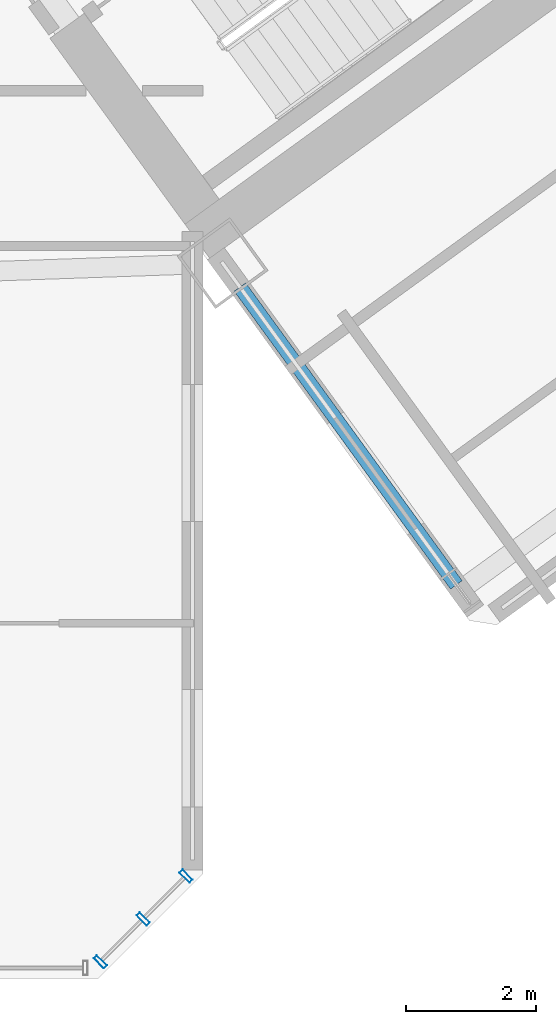
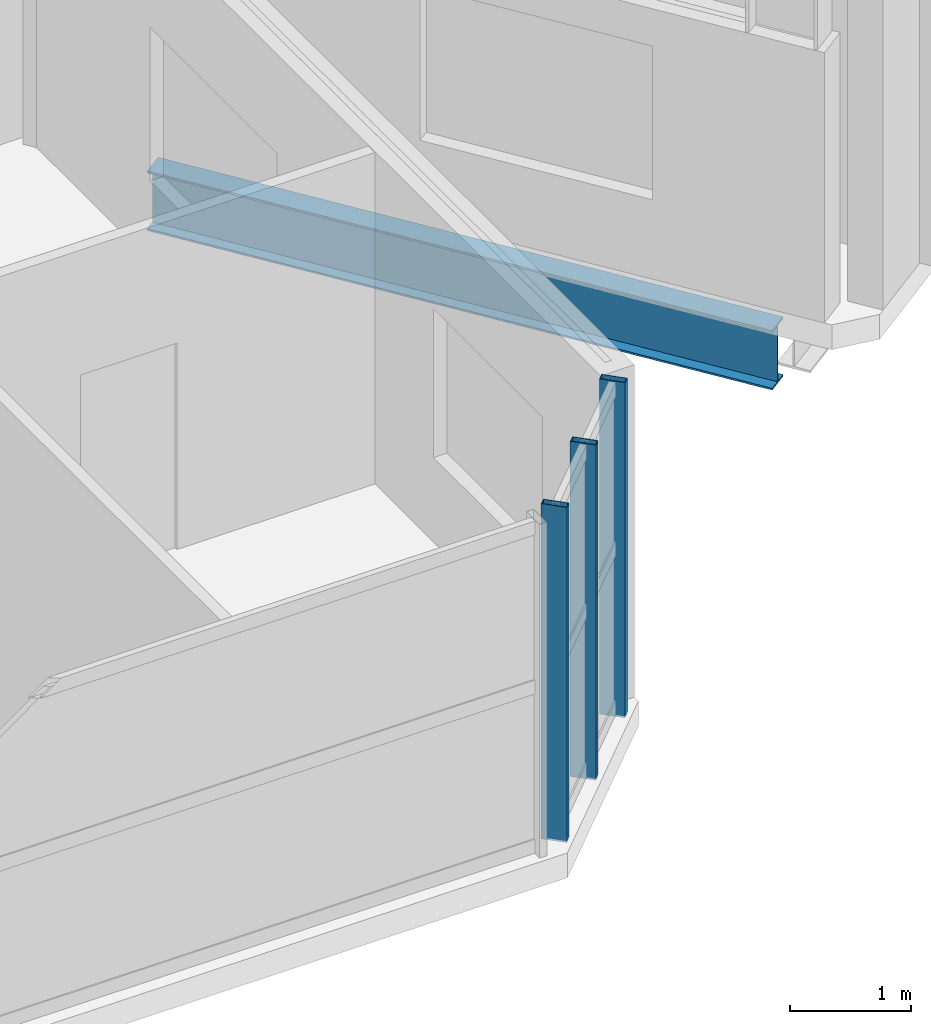
# One storey, part 9 of 28: 3 members, 1 beam, 1 element without a shape of its own.
"""IFC4 building model written with IfcOpenShell, lengths in metres."""

from ifc_helpers import new_model, si_unit, direction, frame, origin, origin_2d, place, context, subcontext, project, spatial, hollow_rectangle, i_section, extrude, source, transform, mapped, material, material_profile, profile_set, type_object, element, aggregate, save


model = new_model("IFC4")

# Units and contexts
model_context = context("Model", 3, precision=1e-05, world=origin(), true_north=direction((0.0, 1.0)))
body_context = subcontext(model_context, "Body", "Model", "MODEL_VIEW")
ifc_project = project(units=[si_unit("LENGTHUNIT", "METRE"), si_unit("AREAUNIT", "SQUARE_METRE"), si_unit("VOLUMEUNIT", "CUBIC_METRE"), si_unit("PLANEANGLEUNIT", "RADIAN"), si_unit("MASSUNIT", "GRAM", prefix="KILO")], contexts=[model_context])

# Site, building, storey
site_placement = place(None, origin())
site = spatial("IfcSite", under=ifc_project, at=site_placement, CompositionType="ELEMENT")
building_placement = place(site_placement, origin())
building = spatial("IfcBuilding", under=site, at=building_placement, Name="Tlacorven Tower", CompositionType="ELEMENT")
storey_placement = place(building_placement, frame((0.0, 0.0, 49.199951171875)))
storey = spatial("IfcBuildingStorey", under=building, at=storey_placement, Name="L12", CompositionType="ELEMENT", Elevation=49.199951171875)

# Beam
ifc_material_1 = material(Name="Steel S355J2", Category="steel")
ifc_material_profile_1 = material_profile(ifc_material_1, i_section(OverallWidth=0.219970703125, OverallDepth=0.60009765625, WebThickness=0.011962890625, FlangeThickness=0.01904296875, at=origin_2d()), Name="IPE 600")
ifc_profile_set_1 = profile_set([ifc_material_profile_1], Name="Steel S355J2")
beam_type = type_object("IfcBeamType", Name="BM-TWR-600", PredefinedType="BEAM", material=ifc_profile_set_1)
shared_shape_1 = source(origin(), body_context, "Body", "SweptSolid", [
    extrude(i_section(OverallWidth=0.219970703125, OverallDepth=0.60009765625, WebThickness=0.011962890625, FlangeThickness=0.01904296875, at=origin_2d()), origin(), (0.0, 0.0, 1.0), 5.650146484375),
])
beam_placement = place(storey_placement, frame((56.291015625, 7.83837890625, -0.550048828125), z_axis=(-0.587783675561, 0.809018139935, 0.0), x_axis=(-0.809018139935, -0.587783675561, 0.0)))
element("IfcBeam", 1, at=beam_placement, inside=storey, type_object=beam_type, Name="L12 beam BM-L12-ET1-1", PredefinedType="BEAM", context=body_context, shape_type="MappedRepresentation", body=[
    mapped(shared_shape_1, transform((0.0, 0.0, 0.0), scale=1.0)),
])

# Curtain wall, members
ifc_material_2 = material(Name="Dark solar low-E double glazing in aluminium frame", Category="aluminium")
curtain_wall_type = type_object("IfcCurtainWallType", Name="CW-TWR-LOW", PredefinedType="USERDEFINED", material=ifc_material_2)
curtain_wall_placement = place(storey_placement, origin())
curtain_wall = element("IfcCurtainWall", 2, at=curtain_wall_placement, inside=storey, type_object=curtain_wall_type, Name="L12 CW-TWR-LOW Curtain Wall 63", ObjectType="UNITISED CURTAIN WALL", PredefinedType="USERDEFINED")
ifc_material_3 = material(Name="Aluminium 6063-T6 anodised", Category="aluminium")
ifc_material_profile_2 = material_profile(ifc_material_3, hollow_rectangle(XDim=0.070068359375, YDim=0.219970703125, WallThickness=0.0048828125, at=origin_2d()), Name="ALU MULLION 70X220")
ifc_profile_set_2 = profile_set([ifc_material_profile_2], Name="Aluminium 6063-T6 anodised")
member_type = type_object("IfcMemberType", Name="CWM-01", PredefinedType="MULLION", material=ifc_profile_set_2)
shared_shape_2 = source(origin(), body_context, "Body", "SweptSolid", [
    extrude(hollow_rectangle(XDim=0.070068359375, YDim=0.219970703125, WallThickness=0.0048828125, at=origin_2d()), origin(), (0.0, 0.0, 1.0), 3.380126953125),
])
member_1_placement = place(storey_placement, frame((52.14453125, 3.370849609375, -0.02001953125), z_axis=(0.0, 0.0, 1.0), x_axis=(-0.707106781187, -0.707106781187, 0.0)))
member_1 = element("IfcMember", 3, at=member_1_placement, type_object=member_type, Name="CW-L12-063 Mullion 1", PredefinedType="MULLION", context=body_context, shape_type="MappedRepresentation", body=[
    mapped(shared_shape_2, transform((0.0, 0.0, 0.0), scale=1.0)),
])
member_2_placement = place(storey_placement, frame((51.48681640625, 2.713134765625, -0.02001953125), z_axis=(0.0, 0.0, 1.0), x_axis=(-0.707106781187, -0.707106781187, 0.0)))
member_2 = element("IfcMember", 4, at=member_2_placement, type_object=member_type, Name="CW-L12-063 Mullion 2", PredefinedType="MULLION", context=body_context, shape_type="MappedRepresentation", body=[
    mapped(shared_shape_2, transform((0.0, 0.0, 0.0), scale=1.0)),
])
member_3_placement = place(storey_placement, frame((50.8291015625, 2.055419921875, -0.02001953125), z_axis=(0.0, 0.0, 1.0), x_axis=(-0.707106781187, -0.707106781187, 0.0)))
member_3 = element("IfcMember", 5, at=member_3_placement, type_object=member_type, Name="CW-L12-063 Mullion 3", PredefinedType="MULLION", context=body_context, shape_type="MappedRepresentation", body=[
    mapped(shared_shape_2, transform((0.0, 0.0, 0.0), scale=1.0)),
])
aggregate(curtain_wall, [member_1, member_2, member_3])

save(model, "model.ifc")
